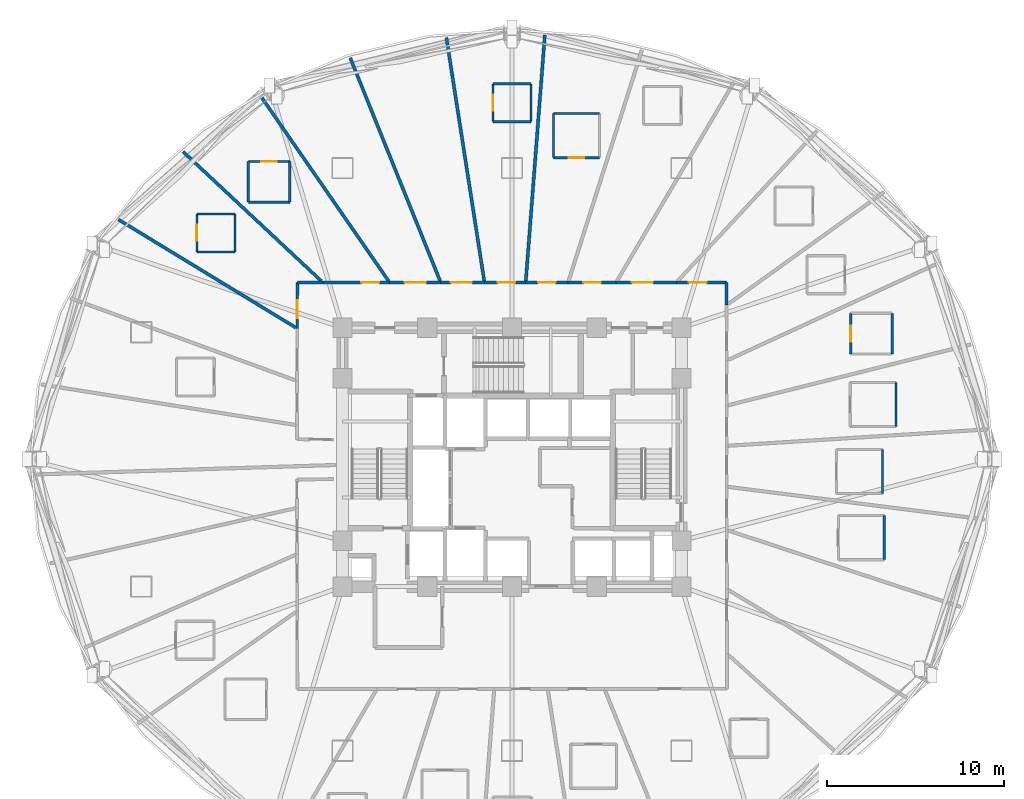
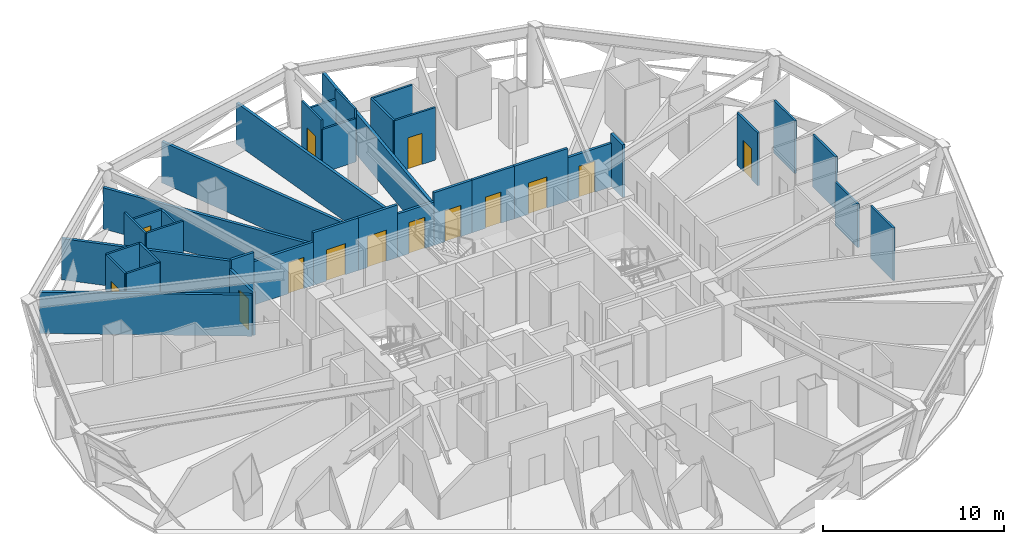
# One storey, part 8 of 13: 37 walls, 14 doors, 14 openings.
"""IFC4 building model written with IfcOpenShell, lengths in metres."""

from ifc_helpers import new_model, si_unit, direction, frame, frame_2d, origin, place, context, subcontext, project, spatial, rectangle, extrude, material, layer, layer_set, type_object, element, fill, save


model = new_model("IFC4")

# Units and contexts
model_context = context("Model", 3, precision=1e-05, world=origin(), true_north=direction((0.0, 1.0)))
body_context = subcontext(model_context, "Body", "Model", "MODEL_VIEW")
ifc_project = project(units=[si_unit("LENGTHUNIT", "METRE"), si_unit("AREAUNIT", "SQUARE_METRE"), si_unit("VOLUMEUNIT", "CUBIC_METRE"), si_unit("PLANEANGLEUNIT", "RADIAN"), si_unit("MASSUNIT", "GRAM", prefix="KILO")], contexts=[model_context])

# Site, building, storey
site_placement = place(None, origin())
site = spatial("IfcSite", under=ifc_project, at=site_placement, CompositionType="ELEMENT")
building_placement = place(site_placement, origin())
building = spatial("IfcBuilding", under=site, at=building_placement, Name="Vantalir Tower", CompositionType="ELEMENT")
storey_placement = place(building_placement, frame((0.0, 0.0, 53.25)))
storey = spatial("IfcBuildingStorey", under=building, at=storey_placement, Name="L12", CompositionType="ELEMENT", Elevation=53.25)

# Wall
ifc_material_1 = material(Name="Moisture-resistant en-suite partition", Category="gypsum")
ifc_layer_1 = layer(ifc_material_1, 0.125)
ifc_layer_set_1 = layer_set([ifc_layer_1], Name="Moisture-resistant en-suite partition")
wall_type_1 = type_object("IfcWallType", Name="WL-BATH-125", PredefinedType="PARTITIONING", material=ifc_layer_set_1)
wall_1_placement = place(storey_placement, frame((53.256103515625, 26.863037109375, 0.0), z_axis=(0.0, 0.0, 1.0), x_axis=(0.0, 1.0, 0.0)))
element("IfcWall", 1, at=wall_1_placement, inside=storey, type_object=wall_type_1, Name="L12 En-suite 01 East Wall", PredefinedType="PARTITIONING", context=body_context, shape_type="SweptSolid", body=[
    extrude(rectangle(XDim=2.5, YDim=0.125, at=frame_2d((1.25, 0.0))), origin(), (0.0, 0.0, 1.0), 3.550048828125),
])

# Wall, opening, door
wall_2_placement = place(storey_placement, frame((50.681884765625, 30.97802734375, 0.0), z_axis=(0.0, 0.0, 1.0), x_axis=(0.0, 1.0, 0.0)))
wall_2 = element("IfcWall", 2, at=wall_2_placement, inside=storey, type_object=wall_type_1, Name="L12 En-suite 02 West Wall", PredefinedType="PARTITIONING", context=body_context, shape_type="SweptSolid", body=[
    extrude(rectangle(XDim=2.300048828125, YDim=0.125, at=frame_2d((1.14990234375, 0.0))), origin(), (0.0, 0.0, 1.0), 3.550048828125),
])
opening_1_placement = place(wall_2_placement, frame((0.699951171875, 0.0, 0.0)))
opening_1 = element("IfcOpeningElement", 3, at=opening_1_placement, cuts=wall_2, Name="Opening D-WC", PredefinedType="OPENING", context=body_context, shape_type="SweptSolid", body=[
    extrude(rectangle(XDim=0.89990234375, YDim=2.10009765625, at=frame_2d((0.449951171875, 1.050048828125))), frame((0.0, 0.072509765625, 0.0), z_axis=(0.0, -1.0, 0.0), x_axis=(1.0, 0.0, 0.0)), (0.0, 0.0, 1.0), 0.14501953125),
])
ifc_material_2 = material(Name="Moisture-resistant hardwood door", Category="wood")
door_type_1 = type_object("IfcDoorType", Name="DR-ENSUITE-900", OperationType="NOTDEFINED", PredefinedType="DOOR", material=ifc_material_2)
door_1_placement = place(opening_1_placement, frame((0.89990234375, 0.0, 0.0), z_axis=(0.0, 0.0, 1.0), x_axis=(-1.0, 0.0, 0.0)))
door_1 = element("IfcDoor", 4, at=door_1_placement, inside=storey, type_object=door_type_1, Name="L12 En-suite 02 Door", OperationType="SINGLE_SWING_LEFT", OverallHeight=2.10009765625, OverallWidth=0.89990234375, PredefinedType="DOOR", context=body_context, shape_type="SweptSolid", body=[
    extrude(rectangle(XDim=0.89990234375, YDim=2.10009765625, at=frame_2d((0.449951171875, 1.050048828125))), frame((0.0, 0.02490234375, 0.0), z_axis=(0.0, -1.0, 0.0), x_axis=(1.0, 0.0, 0.0)), (0.0, 0.0, 1.0), 0.050048828125),
])
fill(opening_1, door_1)

# Wall
wall_3_placement = place(storey_placement, frame((53.031982421875, 30.97802734375, 0.0), z_axis=(0.0, 0.0, 1.0), x_axis=(0.0, 1.0, 0.0)))
element("IfcWall", 5, at=wall_3_placement, inside=storey, type_object=wall_type_1, Name="L12 En-suite 02 East Wall", PredefinedType="PARTITIONING", context=body_context, shape_type="SweptSolid", body=[
    extrude(rectangle(XDim=2.300048828125, YDim=0.125, at=frame_2d((1.14990234375, 0.0))), origin(), (0.0, 0.0, 1.0), 3.550048828125),
])

# Wall, opening, door
wall_4_placement = place(storey_placement, frame((33.85205078125, 42.091064453125, 0.0), z_axis=(0.0, 0.0, 1.0), x_axis=(1.0, 0.0, 0.0)))
wall_4 = element("IfcWall", 6, at=wall_4_placement, inside=storey, type_object=wall_type_1, Name="L12 En-suite 07 South Wall", PredefinedType="PARTITIONING", context=body_context, shape_type="SweptSolid", body=[
    extrude(rectangle(XDim=2.599853515625, YDim=0.125, at=frame_2d((1.2998046875, 0.0))), origin(), (0.0, 0.0, 1.0), 3.550048828125),
])
opening_2_placement = place(wall_4_placement, frame((0.85009765625, 0.0, 0.0)))
opening_2 = element("IfcOpeningElement", 7, at=opening_2_placement, cuts=wall_4, Name="Opening D-WC", PredefinedType="OPENING", context=body_context, shape_type="SweptSolid", body=[
    extrude(rectangle(XDim=0.89990234375, YDim=2.10009765625, at=frame_2d((0.449951171875, 1.050048828125))), frame((0.0, 0.072509765625, 0.0), z_axis=(0.0, -1.0, 0.0), x_axis=(1.0, 0.0, 0.0)), (0.0, 0.0, 1.0), 0.14501953125),
])
door_2_placement = place(opening_2_placement, origin())
door_2 = element("IfcDoor", 8, at=door_2_placement, inside=storey, type_object=door_type_1, Name="L12 En-suite 07 Door", OperationType="SINGLE_SWING_RIGHT", OverallHeight=2.10009765625, OverallWidth=0.89990234375, PredefinedType="DOOR", context=body_context, shape_type="SweptSolid", body=[
    extrude(rectangle(XDim=0.89990234375, YDim=2.10009765625, at=frame_2d((0.449951171875, 1.050048828125))), frame((0.0, 0.02490234375, 0.0), z_axis=(0.0, -1.0, 0.0), x_axis=(1.0, 0.0, 0.0)), (0.0, 0.0, 1.0), 0.050048828125),
])
fill(opening_2, door_2)

# Walls
wall_5_placement = place(storey_placement, frame((33.85205078125, 44.591064453125, 0.0), z_axis=(0.0, 0.0, 1.0), x_axis=(1.0, 0.0, 0.0)))
element("IfcWall", 9, at=wall_5_placement, inside=storey, type_object=wall_type_1, Name="L12 En-suite 07 North Wall", PredefinedType="PARTITIONING", context=body_context, shape_type="SweptSolid", body=[
    extrude(rectangle(XDim=2.599853515625, YDim=0.125, at=frame_2d((1.2998046875, 0.0))), origin(), (0.0, 0.0, 1.0), 3.550048828125),
])
wall_6_placement = place(storey_placement, frame((33.85205078125, 42.091064453125, 0.0), z_axis=(0.0, 0.0, 1.0), x_axis=(0.0, 1.0, 0.0)))
element("IfcWall", 10, at=wall_6_placement, inside=storey, type_object=wall_type_1, Name="L12 En-suite 07 West Wall", PredefinedType="PARTITIONING", context=body_context, shape_type="SweptSolid", body=[
    extrude(rectangle(XDim=2.5, YDim=0.125, at=frame_2d((1.25, 0.0))), origin(), (0.0, 0.0, 1.0), 3.550048828125),
])
for number, where, z_axis, x_axis, name in (
    (11, (30.422119140625, 44.1259765625, 0.0), (0.0, 0.0, 1.0), (1.0, 0.0, 0.0), "L12 En-suite 08 South Wall"),
    (12, (30.422119140625, 46.27587890625, 0.0), (0.0, 0.0, 1.0), (1.0, 0.0, 0.0), "L12 En-suite 08 North Wall"),
):
    element("IfcWall", number, at=place(storey_placement, frame(where, z_axis=z_axis, x_axis=x_axis)), inside=storey, type_object=wall_type_1, Name=name, PredefinedType="PARTITIONING", context=body_context, shape_type="SweptSolid", body=[
        extrude(rectangle(XDim=2.14990234375, YDim=0.125, at=frame_2d((1.074951171875, 0.0))), origin(), (0.0, 0.0, 1.0), 2.927978515625),
    ])

# Wall, opening, door
wall_7_placement = place(storey_placement, frame((30.422119140625, 44.1259765625, 0.0), z_axis=(0.0, 0.0, 1.0), x_axis=(0.0, 1.0, 0.0)))
wall_7 = element("IfcWall", 13, at=wall_7_placement, inside=storey, type_object=wall_type_1, Name="L12 En-suite 08 West Wall", PredefinedType="PARTITIONING", context=body_context, shape_type="SweptSolid", body=[
    extrude(rectangle(XDim=2.14990234375, YDim=0.125, at=frame_2d((1.074951171875, 0.0))), origin(), (0.0, 0.0, 1.0), 3.550048828125),
])
opening_3_placement = place(wall_7_placement, frame((0.625, 0.0, 0.0)))
opening_3 = element("IfcOpeningElement", 14, at=opening_3_placement, cuts=wall_7, Name="Opening D-WC", PredefinedType="OPENING", context=body_context, shape_type="SweptSolid", body=[
    extrude(rectangle(XDim=0.89990234375, YDim=2.10009765625, at=frame_2d((0.449951171875, 1.050048828125))), frame((0.0, 0.072509765625, 0.0), z_axis=(0.0, -1.0, 0.0), x_axis=(1.0, 0.0, 0.0)), (0.0, 0.0, 1.0), 0.14501953125),
])
door_3_placement = place(opening_3_placement, frame((0.89990234375, 0.0, 0.0), z_axis=(0.0, 0.0, 1.0), x_axis=(-1.0, 0.0, 0.0)))
door_3 = element("IfcDoor", 15, at=door_3_placement, inside=storey, type_object=door_type_1, Name="L12 En-suite 08 Door", OperationType="SINGLE_SWING_LEFT", OverallHeight=2.10009765625, OverallWidth=0.89990234375, PredefinedType="DOOR", context=body_context, shape_type="SweptSolid", body=[
    extrude(rectangle(XDim=0.89990234375, YDim=2.10009765625, at=frame_2d((0.449951171875, 1.050048828125))), frame((0.0, 0.02490234375, 0.0), z_axis=(0.0, -1.0, 0.0), x_axis=(1.0, 0.0, 0.0)), (0.0, 0.0, 1.0), 0.050048828125),
])
fill(opening_3, door_3)

# Walls
wall_8_placement = place(storey_placement, frame((32.572021484375, 44.1259765625, 0.0), z_axis=(0.0, 0.0, 1.0), x_axis=(0.0, 1.0, 0.0)))
element("IfcWall", 16, at=wall_8_placement, inside=storey, type_object=wall_type_1, Name="L12 En-suite 08 East Wall", PredefinedType="PARTITIONING", context=body_context, shape_type="SweptSolid", body=[
    extrude(rectangle(XDim=2.14990234375, YDim=0.125, at=frame_2d((1.074951171875, 0.0))), origin(), (0.0, 0.0, 1.0), 3.550048828125),
])
wall_9_placement = place(storey_placement, frame((16.56494140625, 39.571044921875, 0.0), z_axis=(0.0, 0.0, 1.0), x_axis=(1.0, 0.0, 0.0)))
element("IfcWall", 17, at=wall_9_placement, inside=storey, type_object=wall_type_1, Name="L12 En-suite 11 South Wall", PredefinedType="PARTITIONING", context=body_context, shape_type="SweptSolid", body=[
    extrude(rectangle(XDim=2.35009765625, YDim=0.125, at=frame_2d((1.175048828125, 0.0))), origin(), (0.0, 0.0, 1.0), 3.550048828125),
])

# Wall, opening, door
wall_10_placement = place(storey_placement, frame((16.56494140625, 41.87109375, 0.0), z_axis=(0.0, 0.0, 1.0), x_axis=(1.0, 0.0, 0.0)))
wall_10 = element("IfcWall", 18, at=wall_10_placement, inside=storey, type_object=wall_type_1, Name="L12 En-suite 11 North Wall", PredefinedType="PARTITIONING", context=body_context, shape_type="SweptSolid", body=[
    extrude(rectangle(XDim=2.35009765625, YDim=0.125, at=frame_2d((1.175048828125, 0.0))), origin(), (0.0, 0.0, 1.0), 2.927978515625),
])
opening_4_placement = place(wall_10_placement, frame((0.72509765625, 0.0, 0.0)))
opening_4 = element("IfcOpeningElement", 19, at=opening_4_placement, cuts=wall_10, Name="Opening D-WC", PredefinedType="OPENING", context=body_context, shape_type="SweptSolid", body=[
    extrude(rectangle(XDim=0.89990234375, YDim=2.10009765625, at=frame_2d((0.449951171875, 1.050048828125))), frame((0.0, 0.072509765625, 0.0), z_axis=(0.0, -1.0, 0.0), x_axis=(1.0, 0.0, 0.0)), (0.0, 0.0, 1.0), 0.14501953125),
])
door_4_placement = place(opening_4_placement, frame((0.89990234375, 0.0, 0.0), z_axis=(0.0, 0.0, 1.0), x_axis=(-1.0, 0.0, 0.0)))
door_4 = element("IfcDoor", 20, at=door_4_placement, inside=storey, type_object=door_type_1, Name="L12 En-suite 11 Door", OperationType="SINGLE_SWING_RIGHT", OverallHeight=2.10009765625, OverallWidth=0.89990234375, PredefinedType="DOOR", context=body_context, shape_type="SweptSolid", body=[
    extrude(rectangle(XDim=0.89990234375, YDim=2.10009765625, at=frame_2d((0.449951171875, 1.050048828125))), frame((0.0, 0.02490234375, 0.0), z_axis=(0.0, -1.0, 0.0), x_axis=(1.0, 0.0, 0.0)), (0.0, 0.0, 1.0), 0.050048828125),
])
fill(opening_4, door_4)

# Walls
wall_11_placement = place(storey_placement, frame((16.56494140625, 39.571044921875, 0.0), z_axis=(0.0, 0.0, 1.0), x_axis=(0.0, 1.0, 0.0)))
element("IfcWall", 21, at=wall_11_placement, inside=storey, type_object=wall_type_1, Name="L12 En-suite 11 West Wall", PredefinedType="PARTITIONING", context=body_context, shape_type="SweptSolid", body=[
    extrude(rectangle(XDim=2.300048828125, YDim=0.125, at=frame_2d((1.14990234375, 0.0))), origin(), (0.0, 0.0, 1.0), 3.550048828125),
])
wall_12_placement = place(storey_placement, frame((18.9150390625, 39.571044921875, 0.0), z_axis=(0.0, 0.0, 1.0), x_axis=(0.0, 1.0, 0.0)))
element("IfcWall", 22, at=wall_12_placement, inside=storey, type_object=wall_type_1, Name="L12 En-suite 11 East Wall", PredefinedType="PARTITIONING", context=body_context, shape_type="SweptSolid", body=[
    extrude(rectangle(XDim=2.300048828125, YDim=0.125, at=frame_2d((1.14990234375, 0.0))), origin(), (0.0, 0.0, 1.0), 2.927978515625),
])
for number, where, z_axis, x_axis, name in (
    (23, (13.655029296875, 36.756103515625, 0.0), (0.0, 0.0, 1.0), (1.0, 0.0, 0.0), "L12 En-suite 12 South Wall"),
    (24, (13.655029296875, 38.906005859375, 0.0), (0.0, 0.0, 1.0), (1.0, 0.0, 0.0), "L12 En-suite 12 North Wall"),
):
    element("IfcWall", number, at=place(storey_placement, frame(where, z_axis=z_axis, x_axis=x_axis)), inside=storey, type_object=wall_type_1, Name=name, PredefinedType="PARTITIONING", context=body_context, shape_type="SweptSolid", body=[
        extrude(rectangle(XDim=2.14990234375, YDim=0.125, at=frame_2d((1.074951171875, 0.0))), origin(), (0.0, 0.0, 1.0), 3.550048828125),
    ])

# Wall, opening, door
wall_13_placement = place(storey_placement, frame((13.655029296875, 36.756103515625, 0.0), z_axis=(0.0, 0.0, 1.0), x_axis=(0.0, 1.0, 0.0)))
wall_13 = element("IfcWall", 25, at=wall_13_placement, inside=storey, type_object=wall_type_1, Name="L12 En-suite 12 West Wall", PredefinedType="PARTITIONING", context=body_context, shape_type="SweptSolid", body=[
    extrude(rectangle(XDim=2.14990234375, YDim=0.125, at=frame_2d((1.074951171875, 0.0))), origin(), (0.0, 0.0, 1.0), 3.550048828125),
])
opening_5_placement = place(wall_13_placement, frame((0.625, 0.0, 0.0)))
opening_5 = element("IfcOpeningElement", 26, at=opening_5_placement, cuts=wall_13, Name="Opening D-WC", PredefinedType="OPENING", context=body_context, shape_type="SweptSolid", body=[
    extrude(rectangle(XDim=0.89990234375, YDim=2.10009765625, at=frame_2d((0.449951171875, 1.050048828125))), frame((0.0, 0.072509765625, 0.0), z_axis=(0.0, -1.0, 0.0), x_axis=(1.0, 0.0, 0.0)), (0.0, 0.0, 1.0), 0.14501953125),
])
door_5_placement = place(opening_5_placement, frame((0.89990234375, 0.0, 0.0), z_axis=(0.0, 0.0, 1.0), x_axis=(-1.0, 0.0, 0.0)))
door_5 = element("IfcDoor", 27, at=door_5_placement, inside=storey, type_object=door_type_1, Name="L12 En-suite 12 Door", OperationType="SINGLE_SWING_LEFT", OverallHeight=2.10009765625, OverallWidth=0.89990234375, PredefinedType="DOOR", context=body_context, shape_type="SweptSolid", body=[
    extrude(rectangle(XDim=0.89990234375, YDim=2.10009765625, at=frame_2d((0.449951171875, 1.050048828125))), frame((0.0, 0.02490234375, 0.0), z_axis=(0.0, -1.0, 0.0), x_axis=(1.0, 0.0, 0.0)), (0.0, 0.0, 1.0), 0.050048828125),
])
fill(opening_5, door_5)

# Walls
wall_14_placement = place(storey_placement, frame((15.804931640625, 36.756103515625, 0.0), z_axis=(0.0, 0.0, 1.0), x_axis=(0.0, 1.0, 0.0)))
element("IfcWall", 28, at=wall_14_placement, inside=storey, type_object=wall_type_1, Name="L12 En-suite 12 East Wall", PredefinedType="PARTITIONING", context=body_context, shape_type="SweptSolid", body=[
    extrude(rectangle(XDim=2.14990234375, YDim=0.125, at=frame_2d((1.074951171875, 0.0))), origin(), (0.0, 0.0, 1.0), 3.550048828125),
])
wall_15_placement = place(storey_placement, frame((52.5849609375, 19.322998046875, 0.0), z_axis=(0.0, 0.0, 1.0), x_axis=(0.0, 1.0, 0.0)))
element("IfcWall", 29, at=wall_15_placement, inside=storey, type_object=wall_type_1, Name="L12 En-suite 27 East Wall", PredefinedType="PARTITIONING", context=body_context, shape_type="SweptSolid", body=[
    extrude(rectangle(XDim=2.5, YDim=0.125, at=frame_2d((1.25, 0.0))), origin(), (0.0, 0.0, 1.0), 3.550048828125),
])
wall_16_placement = place(storey_placement, frame((52.47802734375, 23.06298828125, 0.0), z_axis=(0.0, 0.0, 1.0), x_axis=(0.0, 1.0, 0.0)))
element("IfcWall", 30, at=wall_16_placement, inside=storey, type_object=wall_type_1, Name="L12 En-suite 28 East Wall", PredefinedType="PARTITIONING", context=body_context, shape_type="SweptSolid", body=[
    extrude(rectangle(XDim=2.5, YDim=0.125, at=frame_2d((1.25, 0.0))), origin(), (0.0, 0.0, 1.0), 2.927978515625),
])

# Wall, opening, door
ifc_material_3 = material(Name="Fire-rated hotel corridor acoustic partition", Category="gypsum")
ifc_layer_2 = layer(ifc_material_3, 0.159912109375)
ifc_layer_set_2 = layer_set([ifc_layer_2], Name="Fire-rated hotel corridor acoustic partition")
wall_type_2 = type_object("IfcWallType", Name="WL-CORR-160", PredefinedType="PARTITIONING", material=ifc_layer_set_2)
wall_17_placement = place(storey_placement, frame((19.337890625, 32.412109375, 0.0), z_axis=(0.0, 0.0, 1.0), x_axis=(0.002337753103, 0.999997267451, 0.0)))
wall_17 = element("IfcWall", 31, at=wall_17_placement, inside=storey, type_object=wall_type_2, Name="L12 Corridor Partition 05", PredefinedType="PARTITIONING", context=body_context, shape_type="SweptSolid", body=[
    extrude(rectangle(XDim=2.61083984375, YDim=0.159912109375, at=frame_2d((1.305419921875, 0.0))), origin(), (0.0, 0.0, 1.0), 2.927978515625),
])
opening_6_placement = place(wall_17_placement, frame((0.590087890625, 0.0, 0.0)))
opening_6 = element("IfcOpeningElement", 32, at=opening_6_placement, cuts=wall_17, Name="Opening D-GUEST", PredefinedType="OPENING", context=body_context, shape_type="SweptSolid", body=[
    extrude(rectangle(XDim=1.0, YDim=2.10009765625, at=frame_2d((0.5, 1.050048828125))), frame((0.0, 0.08984375, 0.0), z_axis=(0.0, -1.0, 0.0), x_axis=(1.0, 0.0, 0.0)), (0.0, 0.0, 1.0), 0.179931640625),
])
ifc_material_4 = material(Name="Solid-core teak veneer acoustic fire door", Category="wood")
door_type_2 = type_object("IfcDoorType", Name="DR-GUEST-ENTRY-1000", OperationType="NOTDEFINED", PredefinedType="DOOR", material=ifc_material_4)
door_6_placement = place(opening_6_placement, origin())
door_6 = element("IfcDoor", 33, at=door_6_placement, inside=storey, type_object=door_type_2, Name="L12 Twin Queen Hotel Room 12 Door", OperationType="SINGLE_SWING_RIGHT", OverallHeight=2.10009765625, OverallWidth=1.0, PredefinedType="DOOR", context=body_context, shape_type="SweptSolid", body=[
    extrude(rectangle(XDim=1.0, YDim=2.10009765625, at=frame_2d((0.5, 1.050048828125))), frame((0.0, 0.02490234375, 0.0), z_axis=(0.0, -1.0, 0.0), x_axis=(1.0, 0.0, 0.0)), (0.0, 0.0, 1.0), 0.050048828125),
])
fill(opening_6, door_6)

# Wall
wall_18_placement = place(storey_placement, frame((19.343994140625, 35.02294921875, 0.0), z_axis=(0.0, 0.0, 1.0), x_axis=(1.0, 0.0, 0.0)))
element("IfcWall", 34, at=wall_18_placement, inside=storey, type_object=wall_type_2, Name="L12 Corridor Partition 06", PredefinedType="PARTITIONING", context=body_context, shape_type="SweptSolid", body=[
    extrude(rectangle(XDim=1.444091796875, YDim=0.159912109375, at=frame_2d((0.72216796875, 0.0))), origin(), (0.0, 0.0, 1.0), 3.550048828125),
])

# Wall, opening, door
wall_19_placement = place(storey_placement, frame((20.7880859375, 35.02294921875, 0.0), z_axis=(0.0, 0.0, 1.0), x_axis=(1.0, 0.0, 0.0)))
wall_19 = element("IfcWall", 35, at=wall_19_placement, inside=storey, type_object=wall_type_2, Name="L12 Corridor Partition 07", PredefinedType="PARTITIONING", context=body_context, shape_type="SweptSolid", body=[
    extrude(rectangle(XDim=3.780029296875, YDim=0.159912109375, at=frame_2d((1.89013671875, 0.0))), origin(), (0.0, 0.0, 1.0), 2.927978515625),
])
opening_7_placement = place(wall_19_placement, frame((2.18603515625, 0.0, 0.0)))
opening_7 = element("IfcOpeningElement", 36, at=opening_7_placement, cuts=wall_19, Name="Opening D-GUEST", PredefinedType="OPENING", context=body_context, shape_type="SweptSolid", body=[
    extrude(rectangle(XDim=1.0, YDim=2.10009765625, at=frame_2d((0.5, 1.050048828125))), frame((0.0, 0.08984375, 0.0), z_axis=(0.0, -1.0, 0.0), x_axis=(1.0, 0.0, 0.0)), (0.0, 0.0, 1.0), 0.179931640625),
])
door_7_placement = place(opening_7_placement, origin())
door_7 = element("IfcDoor", 37, at=door_7_placement, inside=storey, type_object=door_type_2, Name="L12 Deluxe King Hotel Room 11 Door", OperationType="SINGLE_SWING_LEFT", OverallHeight=2.10009765625, OverallWidth=1.0, PredefinedType="DOOR", context=body_context, shape_type="SweptSolid", body=[
    extrude(rectangle(XDim=1.0, YDim=2.10009765625, at=frame_2d((0.5, 1.050048828125))), frame((0.0, 0.02490234375, 0.0), z_axis=(0.0, -1.0, 0.0), x_axis=(1.0, 0.0, 0.0)), (0.0, 0.0, 1.0), 0.050048828125),
])
fill(opening_7, door_7)

wall_20_placement = place(storey_placement, frame((24.568115234375, 35.02294921875, 0.0), z_axis=(0.0, 0.0, 1.0), x_axis=(1.0, 0.0, 0.0)))
wall_20 = element("IfcWall", 38, at=wall_20_placement, inside=storey, type_object=wall_type_2, Name="L12 Corridor Partition 08", PredefinedType="PARTITIONING", context=body_context, shape_type="SweptSolid", body=[
    extrude(rectangle(XDim=2.893798828125, YDim=0.159912109375, at=frame_2d((1.44677734375, 0.0))), origin(), (0.0, 0.0, 1.0), 3.550048828125),
])
opening_8_placement = place(wall_20_placement, frame((0.846923828125, 0.0, 0.0)))
opening_8 = element("IfcOpeningElement", 39, at=opening_8_placement, cuts=wall_20, Name="Opening D-STE", PredefinedType="OPENING", context=body_context, shape_type="SweptSolid", body=[
    extrude(rectangle(XDim=1.199951171875, YDim=2.10009765625, at=frame_2d((0.60009765625, 1.050048828125))), frame((0.0, 0.08984375, 0.0), z_axis=(0.0, -1.0, 0.0), x_axis=(1.0, 0.0, 0.0)), (0.0, 0.0, 1.0), 0.179931640625),
])
ifc_material_5 = material(Name="Solid-core teak veneer suite entrance door", Category="wood")
door_type_3 = type_object("IfcDoorType", Name="DR-SUITE-ENTRY-1200", OperationType="NOTDEFINED", PredefinedType="DOOR", material=ifc_material_5)
door_8_placement = place(opening_8_placement, origin())
door_8 = element("IfcDoor", 40, at=door_8_placement, inside=storey, type_object=door_type_3, Name="L12 Executive Sky Boardroom 10 Door", OperationType="SINGLE_SWING_RIGHT", OverallHeight=2.10009765625, OverallWidth=1.199951171875, PredefinedType="DOOR", context=body_context, shape_type="SweptSolid", body=[
    extrude(rectangle(XDim=1.199951171875, YDim=2.10009765625, at=frame_2d((0.60009765625, 1.050048828125))), frame((0.0, 0.02490234375, 0.0), z_axis=(0.0, -1.0, 0.0), x_axis=(1.0, 0.0, 0.0)), (0.0, 0.0, 1.0), 0.050048828125),
])
fill(opening_8, door_8)

wall_21_placement = place(storey_placement, frame((27.4619140625, 35.02294921875, 0.0), z_axis=(0.0, 0.0, 1.0), x_axis=(1.0, 0.0, 0.0)))
wall_21 = element("IfcWall", 41, at=wall_21_placement, inside=storey, type_object=wall_type_2, Name="L12 Corridor Partition 09", PredefinedType="PARTITIONING", context=body_context, shape_type="SweptSolid", body=[
    extrude(rectangle(XDim=2.47900390625, YDim=0.159912109375, at=frame_2d((1.239501953125, 0.0))), origin(), (0.0, 0.0, 1.0), 3.550048828125),
])
opening_9_placement = place(wall_21_placement, frame((0.571044921875, 0.0, 0.0)))
opening_9 = element("IfcOpeningElement", 42, at=opening_9_placement, cuts=wall_21, Name="Opening D-STE", PredefinedType="OPENING", context=body_context, shape_type="SweptSolid", body=[
    extrude(rectangle(XDim=1.199951171875, YDim=2.10009765625, at=frame_2d((0.60009765625, 1.050048828125))), frame((0.0, 0.08984375, 0.0), z_axis=(0.0, -1.0, 0.0), x_axis=(1.0, 0.0, 0.0)), (0.0, 0.0, 1.0), 0.179931640625),
])
door_9_placement = place(opening_9_placement, origin())
door_9 = element("IfcDoor", 43, at=door_9_placement, inside=storey, type_object=door_type_3, Name="L12 Club Reading Lounge 09 Door", OperationType="SINGLE_SWING_LEFT", OverallHeight=2.10009765625, OverallWidth=1.199951171875, PredefinedType="DOOR", context=body_context, shape_type="SweptSolid", body=[
    extrude(rectangle(XDim=1.199951171875, YDim=2.10009765625, at=frame_2d((0.60009765625, 1.050048828125))), frame((0.0, 0.02490234375, 0.0), z_axis=(0.0, -1.0, 0.0), x_axis=(1.0, 0.0, 0.0)), (0.0, 0.0, 1.0), 0.050048828125),
])
fill(opening_9, door_9)

wall_22_placement = place(storey_placement, frame((29.94091796875, 35.02294921875, 0.0), z_axis=(0.0, 0.0, 1.0), x_axis=(1.0, 0.0, 0.0)))
wall_22 = element("IfcWall", 44, at=wall_22_placement, inside=storey, type_object=wall_type_2, Name="L12 Corridor Partition 10", PredefinedType="PARTITIONING", context=body_context, shape_type="SweptSolid", body=[
    extrude(rectangle(XDim=2.3349609375, YDim=0.159912109375, at=frame_2d((1.16748046875, 0.0))), origin(), (0.0, 0.0, 1.0), 2.927978515625),
])
opening_10_placement = place(wall_22_placement, frame((0.739990234375, 0.0, 0.0)))
opening_10 = element("IfcOpeningElement", 45, at=opening_10_placement, cuts=wall_22, Name="Opening D-GUEST", PredefinedType="OPENING", context=body_context, shape_type="SweptSolid", body=[
    extrude(rectangle(XDim=1.0, YDim=2.10009765625, at=frame_2d((0.5, 1.050048828125))), frame((0.0, 0.08984375, 0.0), z_axis=(0.0, -1.0, 0.0), x_axis=(1.0, 0.0, 0.0)), (0.0, 0.0, 1.0), 0.179931640625),
])
door_10_placement = place(opening_10_placement, origin())
door_10 = element("IfcDoor", 46, at=door_10_placement, inside=storey, type_object=door_type_2, Name="L12 Twin Queen Hotel Room 08 Door", OperationType="SINGLE_SWING_RIGHT", OverallHeight=2.10009765625, OverallWidth=1.0, PredefinedType="DOOR", context=body_context, shape_type="SweptSolid", body=[
    extrude(rectangle(XDim=1.0, YDim=2.10009765625, at=frame_2d((0.5, 1.050048828125))), frame((0.0, 0.02490234375, 0.0), z_axis=(0.0, -1.0, 0.0), x_axis=(1.0, 0.0, 0.0)), (0.0, 0.0, 1.0), 0.050048828125),
])
fill(opening_10, door_10)

wall_23_placement = place(storey_placement, frame((32.27587890625, 35.02294921875, 0.0), z_axis=(0.0, 0.0, 1.0), x_axis=(1.0, 0.0, 0.0)))
wall_23 = element("IfcWall", 47, at=wall_23_placement, inside=storey, type_object=wall_type_2, Name="L12 Corridor Partition 11", PredefinedType="PARTITIONING", context=body_context, shape_type="SweptSolid", body=[
    extrude(rectangle(XDim=2.405029296875, YDim=0.159912109375, at=frame_2d((1.20263671875, 0.0))), origin(), (0.0, 0.0, 1.0), 3.550048828125),
])
opening_11_placement = place(wall_23_placement, frame((0.701904296875, 0.0, 0.0)))
opening_11 = element("IfcOpeningElement", 48, at=opening_11_placement, cuts=wall_23, Name="Opening D-GUEST", PredefinedType="OPENING", context=body_context, shape_type="SweptSolid", body=[
    extrude(rectangle(XDim=1.0, YDim=2.10009765625, at=frame_2d((0.5, 1.050048828125))), frame((0.0, 0.08984375, 0.0), z_axis=(0.0, -1.0, 0.0), x_axis=(1.0, 0.0, 0.0)), (0.0, 0.0, 1.0), 0.179931640625),
])
door_11_placement = place(opening_11_placement, origin())
door_11 = element("IfcDoor", 49, at=door_11_placement, inside=storey, type_object=door_type_2, Name="L12 Deluxe King Hotel Room 07 Door", OperationType="SINGLE_SWING_LEFT", OverallHeight=2.10009765625, OverallWidth=1.0, PredefinedType="DOOR", context=body_context, shape_type="SweptSolid", body=[
    extrude(rectangle(XDim=1.0, YDim=2.10009765625, at=frame_2d((0.5, 1.050048828125))), frame((0.0, 0.02490234375, 0.0), z_axis=(0.0, -1.0, 0.0), x_axis=(1.0, 0.0, 0.0)), (0.0, 0.0, 1.0), 0.050048828125),
])
fill(opening_11, door_11)

wall_24_placement = place(storey_placement, frame((34.680908203125, 35.02294921875, 0.0), z_axis=(0.0, 0.0, 1.0), x_axis=(1.0, 0.0, 0.0)))
wall_24 = element("IfcWall", 50, at=wall_24_placement, inside=storey, type_object=wall_type_2, Name="L12 Corridor Partition 12", PredefinedType="PARTITIONING", context=body_context, shape_type="SweptSolid", body=[
    extrude(rectangle(XDim=2.717041015625, YDim=0.159912109375, at=frame_2d((1.3583984375, 0.0))), origin(), (0.0, 0.0, 1.0), 3.550048828125),
])
opening_12_placement = place(wall_24_placement, frame((0.85888671875, 0.0, 0.0)))
opening_12 = element("IfcOpeningElement", 51, at=opening_12_placement, cuts=wall_24, Name="Opening D-GUEST", PredefinedType="OPENING", context=body_context, shape_type="SweptSolid", body=[
    extrude(rectangle(XDim=1.0, YDim=2.10009765625, at=frame_2d((0.5, 1.050048828125))), frame((0.0, 0.08984375, 0.0), z_axis=(0.0, -1.0, 0.0), x_axis=(1.0, 0.0, 0.0)), (0.0, 0.0, 1.0), 0.179931640625),
])
door_12_placement = place(opening_12_placement, origin())
door_12 = element("IfcDoor", 52, at=door_12_placement, inside=storey, type_object=door_type_2, Name="L12 Deluxe King Hotel Room 06 Door", OperationType="SINGLE_SWING_RIGHT", OverallHeight=2.10009765625, OverallWidth=1.0, PredefinedType="DOOR", context=body_context, shape_type="SweptSolid", body=[
    extrude(rectangle(XDim=1.0, YDim=2.10009765625, at=frame_2d((0.5, 1.050048828125))), frame((0.0, 0.02490234375, 0.0), z_axis=(0.0, -1.0, 0.0), x_axis=(1.0, 0.0, 0.0)), (0.0, 0.0, 1.0), 0.050048828125),
])
fill(opening_12, door_12)

wall_25_placement = place(storey_placement, frame((37.39794921875, 35.02294921875, 0.0), z_axis=(0.0, 0.0, 1.0), x_axis=(1.0, 0.0, 0.0)))
wall_25 = element("IfcWall", 53, at=wall_25_placement, inside=storey, type_object=wall_type_2, Name="L12 Corridor Partition 13", PredefinedType="PARTITIONING", context=body_context, shape_type="SweptSolid", body=[
    extrude(rectangle(XDim=3.41015625, YDim=0.159912109375, at=frame_2d((1.705078125, 0.0))), origin(), (0.0, 0.0, 1.0), 3.550048828125),
])
opening_13_placement = place(wall_25_placement, frame((0.886962890625, 0.0, 0.0)))
opening_13 = element("IfcOpeningElement", 54, at=opening_13_placement, cuts=wall_25, Name="Opening D-STE", PredefinedType="OPENING", context=body_context, shape_type="SweptSolid", body=[
    extrude(rectangle(XDim=1.199951171875, YDim=2.10009765625, at=frame_2d((0.60009765625, 1.050048828125))), frame((0.0, 0.08984375, 0.0), z_axis=(0.0, -1.0, 0.0), x_axis=(1.0, 0.0, 0.0)), (0.0, 0.0, 1.0), 0.179931640625),
])
door_13_placement = place(opening_13_placement, origin())
door_13 = element("IfcDoor", 55, at=door_13_placement, inside=storey, type_object=door_type_3, Name="L12 Club Reading Lounge 05 Door", OperationType="SINGLE_SWING_LEFT", OverallHeight=2.10009765625, OverallWidth=1.199951171875, PredefinedType="DOOR", context=body_context, shape_type="SweptSolid", body=[
    extrude(rectangle(XDim=1.199951171875, YDim=2.10009765625, at=frame_2d((0.60009765625, 1.050048828125))), frame((0.0, 0.02490234375, 0.0), z_axis=(0.0, -1.0, 0.0), x_axis=(1.0, 0.0, 0.0)), (0.0, 0.0, 1.0), 0.050048828125),
])
fill(opening_13, door_13)

wall_26_placement = place(storey_placement, frame((40.80810546875, 35.02294921875, 0.0), z_axis=(0.0, 0.0, 1.0), x_axis=(1.0, 0.0, 0.0)))
wall_26 = element("IfcWall", 56, at=wall_26_placement, inside=storey, type_object=wall_type_2, Name="L12 Corridor Partition 14", PredefinedType="PARTITIONING", context=body_context, shape_type="SweptSolid", body=[
    extrude(rectangle(XDim=2.847900390625, YDim=0.159912109375, at=frame_2d((1.423828125, 0.0))), origin(), (0.0, 0.0, 1.0), 2.927978515625),
])
opening_14_placement = place(wall_26_placement, frame((0.716064453125, 0.0, 0.0)))
opening_14 = element("IfcOpeningElement", 57, at=opening_14_placement, cuts=wall_26, Name="Opening D-GUEST", PredefinedType="OPENING", context=body_context, shape_type="SweptSolid", body=[
    extrude(rectangle(XDim=1.0, YDim=2.10009765625, at=frame_2d((0.5, 1.050048828125))), frame((0.0, 0.08984375, 0.0), z_axis=(0.0, -1.0, 0.0), x_axis=(1.0, 0.0, 0.0)), (0.0, 0.0, 1.0), 0.179931640625),
])
door_14_placement = place(opening_14_placement, origin())
door_14 = element("IfcDoor", 58, at=door_14_placement, inside=storey, type_object=door_type_2, Name="L12 Twin Queen Hotel Room 04 Door", OperationType="SINGLE_SWING_RIGHT", OverallHeight=2.10009765625, OverallWidth=1.0, PredefinedType="DOOR", context=body_context, shape_type="SweptSolid", body=[
    extrude(rectangle(XDim=1.0, YDim=2.10009765625, at=frame_2d((0.5, 1.050048828125))), frame((0.0, 0.02490234375, 0.0), z_axis=(0.0, -1.0, 0.0), x_axis=(1.0, 0.0, 0.0)), (0.0, 0.0, 1.0), 0.050048828125),
])
fill(opening_14, door_14)

# Walls
wall_27_placement = place(storey_placement, frame((43.656005859375, 35.02294921875, 0.0), z_axis=(0.0, 0.0, 1.0), x_axis=(0.000759445386, -0.999999711621, 0.0)))
element("IfcWall", 59, at=wall_27_placement, inside=storey, type_object=wall_type_2, Name="L12 Corridor Partition 15", PredefinedType="PARTITIONING", context=body_context, shape_type="SweptSolid", body=[
    extrude(rectangle(XDim=1.285888671875, YDim=0.159912109375, at=frame_2d((0.64306640625, 0.0))), origin(), (0.0, 0.0, 1.0), 3.550048828125),
])
ifc_material_6 = material(Name="Twin-stud acoustic fire-rated gypsum partition", Category="gypsum")
ifc_layer_3 = layer(ifc_material_6, 0.179931640625)
ifc_layer_set_3 = layer_set([ifc_layer_3], Name="Twin-stud acoustic fire-rated gypsum partition")
wall_type_3 = type_object("IfcWallType", Name="WL-GUEST-180", PredefinedType="PARTITIONING", material=ifc_layer_set_3)
wall_28_placement = place(storey_placement, frame((32.281982421875, 35.10302734375, 0.0), z_axis=(0.0, 0.0, 1.0), x_axis=(0.077181650998, 0.997017047371, 0.0)))
element("IfcWall", 60, at=wall_28_placement, inside=storey, type_object=wall_type_3, Name="L12 Radial Suite Partition 08", PredefinedType="PARTITIONING", context=body_context, shape_type="SweptSolid", body=[
    extrude(rectangle(XDim=13.96875, YDim=0.179931640625, at=frame_2d((6.984375, 0.0))), origin(), (0.0, 0.0, 1.0), 2.77490234375),
])
wall_29_placement = place(storey_placement, frame((29.928955078125, 35.10302734375, 0.0), z_axis=(0.0, 0.0, 1.0), x_axis=(-0.153719539221, 0.988114519305, 0.0)))
element("IfcWall", 61, at=wall_29_placement, inside=storey, type_object=wall_type_3, Name="L12 Radial Suite Partition 09", PredefinedType="PARTITIONING", context=body_context, shape_type="SweptSolid", body=[
    extrude(rectangle(XDim=13.94775390625, YDim=0.179931640625, at=frame_2d((6.973876953125, 0.0))), origin(), (0.0, 0.0, 1.0), 2.77490234375),
])
wall_30_placement = place(storey_placement, frame((27.429931640625, 35.10302734375, 0.0), z_axis=(0.0, 0.0, 1.0), x_axis=(-0.373620050468, 0.927581833526, 0.0)))
element("IfcWall", 62, at=wall_30_placement, inside=storey, type_object=wall_type_3, Name="L12 Radial Suite Partition 10", PredefinedType="PARTITIONING", context=body_context, shape_type="SweptSolid", body=[
    extrude(rectangle(XDim=13.625732421875, YDim=0.179931640625, at=frame_2d((6.81298828125, 0.0))), origin(), (0.0, 0.0, 1.0), 2.77490234375),
])
wall_31_placement = place(storey_placement, frame((24.512939453125, 35.10302734375, 0.0), z_axis=(0.0, 0.0, 1.0), x_axis=(-0.568868408374, 0.822428558572, 0.0)))
element("IfcWall", 63, at=wall_31_placement, inside=storey, type_object=wall_type_3, Name="L12 Radial Suite Partition 11", PredefinedType="PARTITIONING", context=body_context, shape_type="SweptSolid", body=[
    extrude(rectangle(XDim=12.676025390625, YDim=0.179931640625, at=frame_2d((6.337890625, 0.0))), origin(), (0.0, 0.0, 1.0), 2.77490234375),
])
wall_32_placement = place(storey_placement, frame((20.701904296875, 35.10302734375, 0.0), z_axis=(0.0, 0.0, 1.0), x_axis=(-0.730215371194, 0.683217031164, 0.0)))
element("IfcWall", 64, at=wall_32_placement, inside=storey, type_object=wall_type_3, Name="L12 Radial Suite Partition 12", PredefinedType="PARTITIONING", context=body_context, shape_type="SweptSolid", body=[
    extrude(rectangle(XDim=10.72705078125, YDim=0.179931640625, at=frame_2d((5.363525390625, 0.0))), origin(), (0.0, 0.0, 1.0), 2.77490234375),
])
wall_33_placement = place(storey_placement, frame((19.248046875, 32.467041015625, 0.0), z_axis=(0.0, 0.0, 1.0), x_axis=(-0.853919589257, 0.520404972192, 0.0)))
element("IfcWall", 65, at=wall_33_placement, inside=storey, type_object=wall_type_3, Name="L12 Radial Suite Partition 13", PredefinedType="PARTITIONING", context=body_context, shape_type="SweptSolid", body=[
    extrude(rectangle(XDim=11.75048828125, YDim=0.179931640625, at=frame_2d((5.875244140625, 0.0))), origin(), (0.0, 0.0, 1.0), 2.77490234375),
])

save(model, "model.ifc")
